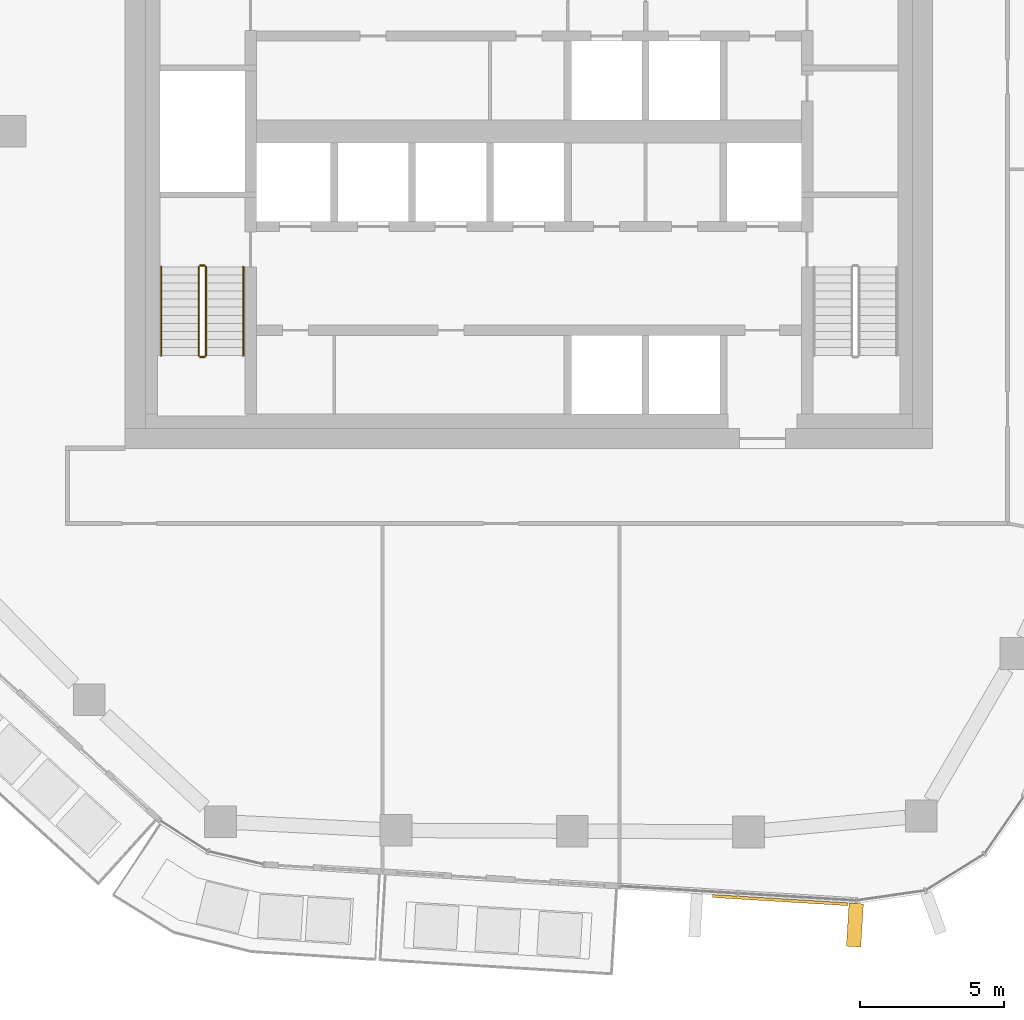
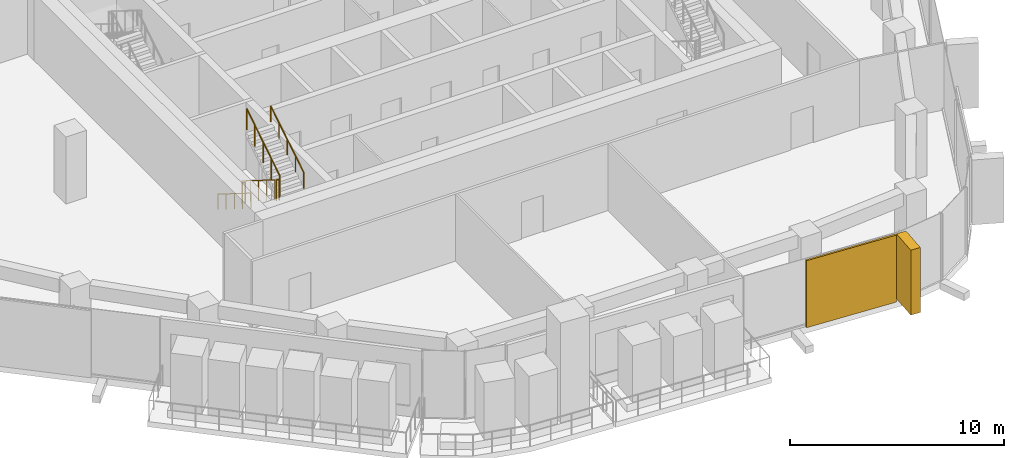
# One storey, part 16 of 20: 6 railings, 2 coverings, 1 element without a shape of its own.
"""IFC4 building model written with IfcOpenShell, lengths in metres."""

from ifc_helpers import new_model, si_unit, direction, frame, origin, origin_2d, place, context, subcontext, project, spatial, rectangle, circle, extrude, material, layer, layer_set, material_profile, profile_set, type_object, element, aggregate, save


model = new_model("IFC4")

# Units and contexts
model_context = context("Model", 3, precision=1e-05, world=origin(), true_north=direction((0.0, 1.0)))
body_context = subcontext(model_context, "Body", "Model", "MODEL_VIEW")
ifc_project = project(units=[si_unit("LENGTHUNIT", "METRE"), si_unit("AREAUNIT", "SQUARE_METRE"), si_unit("VOLUMEUNIT", "CUBIC_METRE"), si_unit("PLANEANGLEUNIT", "RADIAN"), si_unit("MASSUNIT", "GRAM", prefix="KILO")], contexts=[model_context])

# Site, building, storey
site_placement = place(None, origin())
site = spatial("IfcSite", under=ifc_project, at=site_placement, CompositionType="ELEMENT")
building_placement = place(site_placement, origin())
building = spatial("IfcBuilding", under=site, at=building_placement, Name="Dongbaek Canopy Tower", CompositionType="ELEMENT")
storey_placement = place(building_placement, frame((0.0, 0.0, 262.199951171875)))
storey = spatial("IfcBuildingStorey", under=building, at=storey_placement, Name="L55", CompositionType="ELEMENT", Elevation=262.199951171875)

# Curtain wall, coverings
ifc_material_1 = material(Name="Aluminium 6063-T6 pale anodised", Category="aluminium")
ifc_layer_1 = layer(ifc_material_1, 0.199951171875)
ifc_layer_set_1 = layer_set([ifc_layer_1], Name="CW-1 unitised tower curtain wall")
curtain_wall_type = type_object("IfcCurtainWallType", Name="CW-1 unitised tower curtain wall", PredefinedType="NOTDEFINED", material=ifc_layer_set_1)
curtain_wall_placement = place(storey_placement, origin())
curtain_wall = element("IfcCurtainWall", 1, at=curtain_wall_placement, inside=storey, type_object=curtain_wall_type, Name="CW-1 curtain wall F4.1", PredefinedType="NOTDEFINED")
ifc_material_2 = material(Name="Perforated aluminium 6063-T6 pale metal screen", Category="aluminium")
ifc_layer_2 = layer(ifc_material_2, 0.10009765625)
ifc_layer_set_2 = layer_set([ifc_layer_2], Name="Facet screen FS1 100 pale metal")
covering_type_1 = type_object("IfcCoveringType", Name="Facet screen FS1 100 pale metal", PredefinedType="CLADDING", material=ifc_layer_set_2)
covering_1_placement = place(storey_placement, frame((8.713134765625, -26.665771484375, 0.0), z_axis=(0.0, 0.0, 1.0), x_axis=(0.99815329206, -0.060745415873, 0.0)))
covering_1 = element("IfcCovering", 2, at=covering_1_placement, type_object=covering_type_1, Name="Facet screen L55 F4", PredefinedType="CLADDING", context=body_context, shape_type="SweptSolid", body=[
    extrude(rectangle(XDim=4.7080078125, YDim=0.10009765625, at=origin_2d()), origin(), (0.0, 0.0, 1.0), 3.820068359375),
])
ifc_material_3 = material(Name="Aluminium 6063-T6 pale metal fin", Category="aluminium")
ifc_material_profile = material_profile(ifc_material_3, rectangle(XDim=1.5, YDim=0.5, at=origin_2d()), Name="Fin FN1 500 x 1500 pale metal")
ifc_profile_set = profile_set([ifc_material_profile], Name="Aluminium 6063-T6 pale metal fin")
covering_type_2 = type_object("IfcCoveringType", Name="Fin FN1 500 x 1500 pale metal", PredefinedType="CLADDING", material=ifc_profile_set)
covering_2_placement = place(storey_placement, frame((11.309326171875, -27.529052734375, 0.1201171875), z_axis=(0.0, 0.0, 1.0), x_axis=(-0.060746171441, -0.998153246078, 0.0)))
covering_2 = element("IfcCovering", 3, at=covering_2_placement, type_object=covering_type_2, Name="Fin F4.1.3", PredefinedType="CLADDING", context=body_context, shape_type="SweptSolid", body=[
    extrude(rectangle(XDim=1.5, YDim=0.5, at=origin_2d()), origin(), (0.0, 0.0, 1.0), 3.699951171875),
])
aggregate(curtain_wall, [covering_2, covering_1])

# Railings
ifc_material_4 = material(Name="Stainless steel tube and balusters", Category="steel")
railing_type_1 = type_object("IfcRailingType", Name="Stair guard 1200", PredefinedType="GUARDRAIL", material=ifc_material_4)
railing_1_placement = place(storey_placement, frame((-11.449951171875, -4.699951171875, 0.175048828125)))
element("IfcRailing", 4, at=railing_1_placement, inside=storey, type_object=railing_type_1, Name="L55 ST-D stair guard 1", PredefinedType="GUARDRAIL", context=body_context, shape_type="SweptSolid", body=[
    extrude(circle(Radius=0.02392578125, at=origin_2d()), frame((0.0, 0.0, 1.17578125), z_axis=(0.0, -0.847998304005, 0.529998940003), x_axis=(1.0, 0.0, 0.0)), (0.0, 0.0, 1.0), 3.632080078125),
    extrude(circle(Radius=0.02099609375, at=origin_2d()), origin(), (0.0, 0.0, 1.0), 1.15185546875),
    extrude(circle(Radius=0.02099609375, at=origin_2d()), frame((0.0, -0.77001953125, 0.481201171875)), (0.0, 0.0, 1.0), 1.15185546875),
    extrude(circle(Radius=0.02099609375, at=origin_2d()), frame((0.0, -1.5400390625, 0.96240234375)), (0.0, 0.0, 1.0), 1.15185546875),
    extrude(circle(Radius=0.02099609375, at=origin_2d()), frame((0.0, -2.31005859375, 1.44384765625)), (0.0, 0.0, 1.0), 1.15185546875),
    extrude(circle(Radius=0.02099609375, at=origin_2d()), frame((0.0, -3.080078125, 1.925048828125)), (0.0, 0.0, 1.0), 1.15185546875),
])
railing_2_placement = place(storey_placement, frame((-11.39990234375, -7.830078125, 2.10009765625)))
element("IfcRailing", 5, at=railing_2_placement, inside=storey, type_object=railing_type_1, Name="L55 ST-D stair guard 2", PredefinedType="GUARDRAIL", context=body_context, shape_type="SweptSolid", body=[
    extrude(circle(Radius=0.02392578125, at=origin_2d()), frame((0.0, 0.0, 1.17578125), z_axis=(1.0, 0.0, 0.0), x_axis=(0.0, 1.0, 0.0)), (0.0, 0.0, 1.0), 0.14990234375),
    extrude(circle(Radius=0.02099609375, at=origin_2d()), origin(), (0.0, 0.0, 1.0), 1.15185546875),
    extrude(circle(Radius=0.02099609375, at=origin_2d()), frame((0.14990234375, 0.0, 0.0)), (0.0, 0.0, 1.0), 1.15185546875),
])
railing_3_placement = place(storey_placement, frame((-11.199951171875, -7.780029296875, 2.275146484375)))
element("IfcRailing", 6, at=railing_3_placement, inside=storey, type_object=railing_type_1, Name="L55 ST-D stair guard 3", PredefinedType="GUARDRAIL", context=body_context, shape_type="SweptSolid", body=[
    extrude(circle(Radius=0.02392578125, at=origin_2d()), frame((0.0, 0.0, 1.17578125), z_axis=(0.0, 0.848028513186, 0.529950602248), x_axis=(-1.0, 0.0, 0.0)), (0.0, 0.0, 1.0), 3.632080078125),
    extrude(circle(Radius=0.02099609375, at=origin_2d()), origin(), (0.0, 0.0, 1.0), 1.15185546875),
    extrude(circle(Radius=0.02099609375, at=origin_2d()), frame((0.0, 0.77001953125, 0.481201171875)), (0.0, 0.0, 1.0), 1.15185546875),
    extrude(circle(Radius=0.02099609375, at=origin_2d()), frame((0.0, 1.5400390625, 0.96240234375)), (0.0, 0.0, 1.0), 1.15185546875),
    extrude(circle(Radius=0.02099609375, at=origin_2d()), frame((0.0, 2.31005859375, 1.443603515625)), (0.0, 0.0, 1.0), 1.15185546875),
    extrude(circle(Radius=0.02099609375, at=origin_2d()), frame((0.0, 3.080078125, 1.9248046875)), (0.0, 0.0, 1.0), 1.15185546875),
])
railing_4_placement = place(storey_placement, frame((-11.39990234375, -4.64990234375, 0.0)))
element("IfcRailing", 7, at=railing_4_placement, inside=storey, type_object=railing_type_1, Name="L55 ST-D stair guard 4", PredefinedType="GUARDRAIL", context=body_context, shape_type="SweptSolid", body=[
    extrude(circle(Radius=0.02392578125, at=origin_2d()), frame((0.0, 0.0, 1.17578125), z_axis=(1.0, 0.0, 0.0), x_axis=(0.0, 1.0, 0.0)), (0.0, 0.0, 1.0), 0.14990234375),
    extrude(circle(Radius=0.02099609375, at=origin_2d()), origin(), (0.0, 0.0, 1.0), 1.15185546875),
    extrude(circle(Radius=0.02099609375, at=origin_2d()), frame((0.14990234375, 0.0, 0.0)), (0.0, 0.0, 1.0), 1.15185546875),
])
ifc_material_5 = material(Name="Stainless steel tube", Category="steel")
railing_type_2 = type_object("IfcRailingType", Name="Stair handrail 900", PredefinedType="HANDRAIL", material=ifc_material_5)
railing_5_placement = place(storey_placement, frame((-12.75, -4.699951171875, 0.175048828125)))
element("IfcRailing", 8, at=railing_5_placement, inside=storey, type_object=railing_type_2, Name="L55 ST-D stair handrail 1", PredefinedType="HANDRAIL", context=body_context, shape_type="SweptSolid", body=[
    extrude(circle(Radius=0.02392578125, at=origin_2d()), frame((0.0, 0.0, 0.8759765625), z_axis=(0.0, -0.847998304005, 0.529998940003), x_axis=(1.0, 0.0, 0.0)), (0.0, 0.0, 1.0), 3.632080078125),
    extrude(circle(Radius=0.02099609375, at=origin_2d()), origin(), (0.0, 0.0, 1.0), 0.851806640625),
    extrude(circle(Radius=0.02099609375, at=origin_2d()), frame((0.0, -0.77001953125, 0.481201171875)), (0.0, 0.0, 1.0), 0.851806640625),
    extrude(circle(Radius=0.02099609375, at=origin_2d()), frame((0.0, -1.5400390625, 0.96240234375)), (0.0, 0.0, 1.0), 0.851806640625),
    extrude(circle(Radius=0.02099609375, at=origin_2d()), frame((0.0, -2.31005859375, 1.44384765625)), (0.0, 0.0, 1.0), 0.851806640625),
    extrude(circle(Radius=0.02099609375, at=origin_2d()), frame((0.0, -3.080078125, 1.925048828125)), (0.0, 0.0, 1.0), 0.851806640625),
])
railing_6_placement = place(storey_placement, frame((-9.89990234375, -7.780029296875, 2.275146484375)))
element("IfcRailing", 9, at=railing_6_placement, inside=storey, type_object=railing_type_2, Name="L55 ST-D stair handrail 2", PredefinedType="HANDRAIL", context=body_context, shape_type="SweptSolid", body=[
    extrude(circle(Radius=0.02392578125, at=origin_2d()), frame((0.0, 0.0, 0.8759765625), z_axis=(0.0, 0.848028513186, 0.529950602248), x_axis=(-1.0, 0.0, 0.0)), (0.0, 0.0, 1.0), 3.632080078125),
    extrude(circle(Radius=0.02099609375, at=origin_2d()), origin(), (0.0, 0.0, 1.0), 0.851806640625),
    extrude(circle(Radius=0.02099609375, at=origin_2d()), frame((0.0, 0.77001953125, 0.481201171875)), (0.0, 0.0, 1.0), 0.851806640625),
    extrude(circle(Radius=0.02099609375, at=origin_2d()), frame((0.0, 1.5400390625, 0.96240234375)), (0.0, 0.0, 1.0), 0.851806640625),
    extrude(circle(Radius=0.02099609375, at=origin_2d()), frame((0.0, 2.31005859375, 1.443603515625)), (0.0, 0.0, 1.0), 0.851806640625),
    extrude(circle(Radius=0.02099609375, at=origin_2d()), frame((0.0, 3.080078125, 1.9248046875)), (0.0, 0.0, 1.0), 0.851806640625),
])

save(model, "model.ifc")
